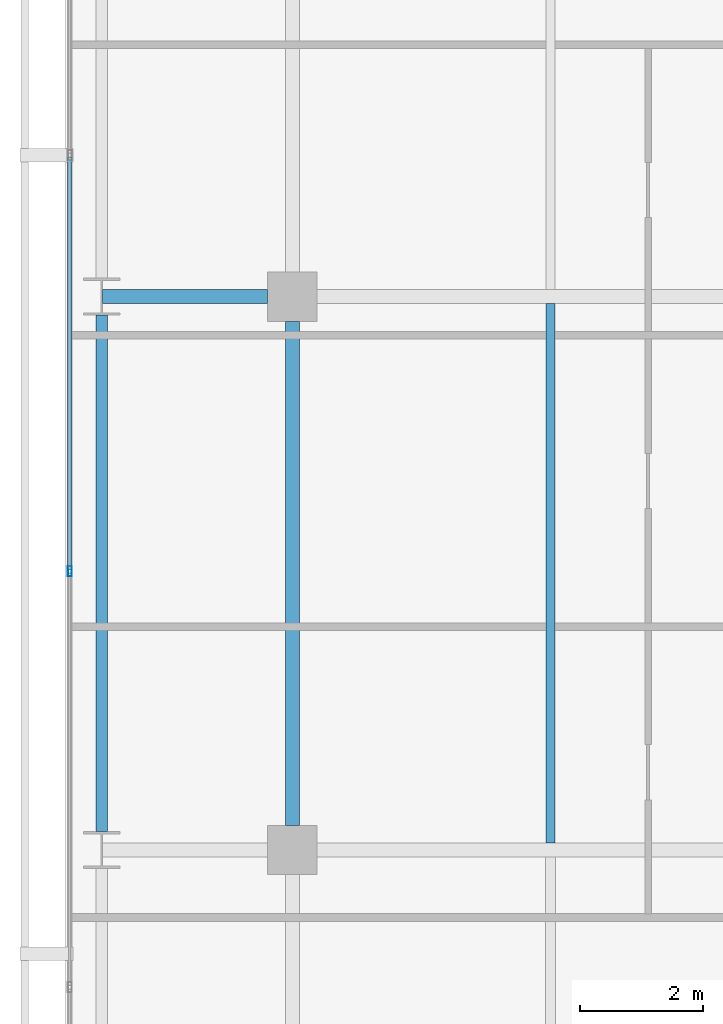
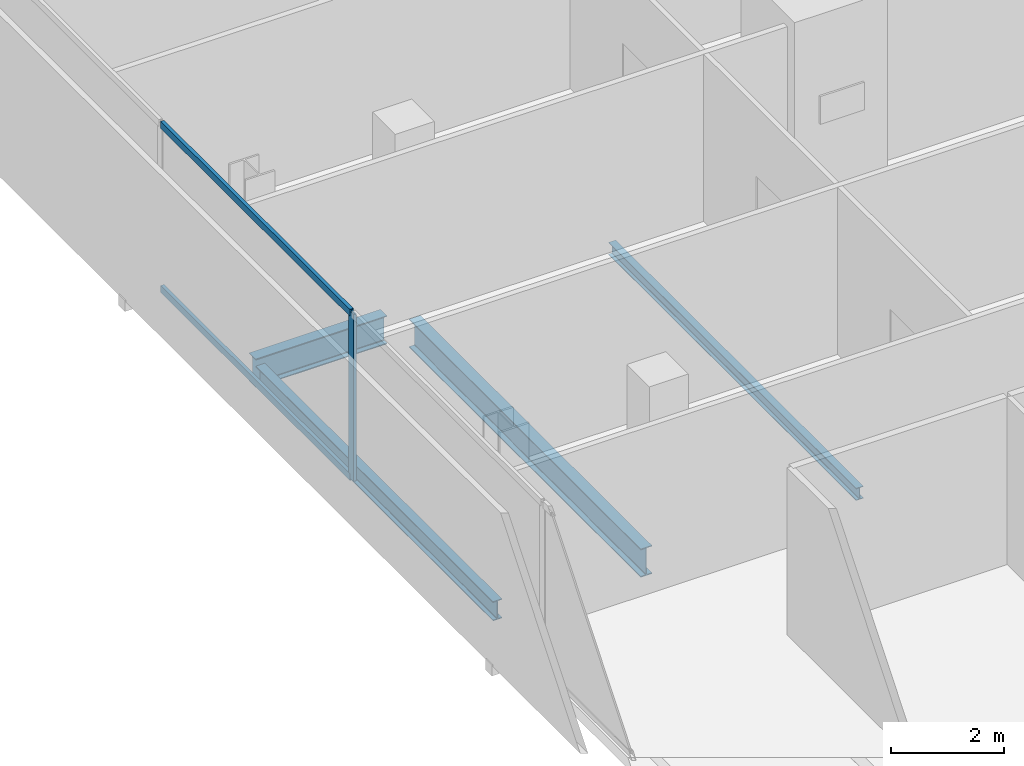
# One storey, part 8 of 33: 4 beams, 3 members, 1 element without a shape of its own.
"""IFC4 building model written with IfcOpenShell, lengths in metres."""

from ifc_helpers import new_model, si_unit, direction, frame, origin, origin_2d, place, context, subcontext, project, spatial, hollow_rectangle, i_section, extrude, material, layer, layer_set, material_profile, profile_set, type_object, element, aggregate, save


model = new_model("IFC4")

# Units and contexts
model_context = context("Model", 3, precision=1e-05, world=origin(), true_north=direction((0.0, 1.0)))
body_context = subcontext(model_context, "Body", "Model", "MODEL_VIEW")
ifc_project = project(units=[si_unit("LENGTHUNIT", "METRE"), si_unit("AREAUNIT", "SQUARE_METRE"), si_unit("VOLUMEUNIT", "CUBIC_METRE"), si_unit("PLANEANGLEUNIT", "RADIAN"), si_unit("MASSUNIT", "GRAM", prefix="KILO")], contexts=[model_context])

# Site, building, storey
site_placement = place(None, origin())
site = spatial("IfcSite", under=ifc_project, at=site_placement, CompositionType="ELEMENT")
building_placement = place(site_placement, origin())
building = spatial("IfcBuilding", under=site, at=building_placement, Name="Maruvema Waterfront Hotel and Observation Tower", CompositionType="ELEMENT")
storey_placement = place(building_placement, frame((0.0, 0.0, 142.800048828125)))
storey = spatial("IfcBuildingStorey", under=building, at=storey_placement, Name="L34", CompositionType="ELEMENT", Elevation=142.800048828125)

# Curtain wall, members
ifc_material_1 = material(Name="Anodised bronze aluminium and solar-control low-E IGU", Category="aluminium")
ifc_layer = layer(ifc_material_1, 0.159912109375, Name="Zone 2 Amber Inner Thermal Curtain Wall System CW-03")
ifc_layer_set = layer_set([ifc_layer], Name="Anodised bronze aluminium and solar-control low-E IGU")
curtain_wall_type = type_object("IfcCurtainWallType", Name="Zone 2 Amber Inner Thermal Curtain Wall System CW-03", PredefinedType="USERDEFINED", material=ifc_layer_set)
curtain_wall_placement = place(storey_placement, origin())
curtain_wall = element("IfcCurtainWall", 1, at=curtain_wall_placement, inside=storey, type_object=curtain_wall_type, Name="L34 Curtain Wall CW-L34-W", ObjectType="UNITISED CURTAIN WALL", PredefinedType="USERDEFINED")
ifc_material_2 = material(Name="Anodised architectural bronze aluminium", Category="aluminium")
ifc_material_profile_1 = material_profile(ifc_material_2, hollow_rectangle(XDim=0.070068359375, YDim=0.14990234375, WallThickness=0.00390625, at=origin_2d()), Name="ALU-T70x150")
ifc_profile_set_1 = profile_set([ifc_material_profile_1], Name="Anodised architectural bronze aluminium")
member_type_1 = type_object("IfcMemberType", Name="Curtain Wall Horizontal Transom ALU-T70x150", PredefinedType="USERDEFINED", material=ifc_profile_set_1)
member_1_placement = place(storey_placement, frame((13.179931640625, 29.27001953125, 0.030029296875), z_axis=(0.0, -1.0, 0.0), x_axis=(1.0, 0.0, 0.0)))
member_1 = element("IfcMember", 2, at=member_1_placement, type_object=member_type_1, Name="CW-03 transom 4.1", ObjectType="TRANSOM", PredefinedType="USERDEFINED", context=body_context, shape_type="SweptSolid", body=[
    extrude(hollow_rectangle(XDim=0.070068359375, YDim=0.14990234375, WallThickness=0.00390625, at=origin_2d()), origin(), (0.0, 0.0, 1.0), 6.706787109375),
])
member_2_placement = place(storey_placement, frame((13.179931640625, 29.27001953125, 3.579833984375), z_axis=(0.0, -1.0, 0.0), x_axis=(1.0, 0.0, 0.0)))
member_2 = element("IfcMember", 3, at=member_2_placement, type_object=member_type_1, Name="CW-03 transom 4.2", ObjectType="TRANSOM", PredefinedType="USERDEFINED", context=body_context, shape_type="SweptSolid", body=[
    extrude(hollow_rectangle(XDim=0.070068359375, YDim=0.14990234375, WallThickness=0.00390625, at=origin_2d()), origin(), (0.0, 0.0, 1.0), 6.706787109375),
])
ifc_material_3 = material(Name="Anodised architectural bronze aluminium", Category="aluminium")
ifc_material_profile_2 = material_profile(ifc_material_3, hollow_rectangle(XDim=0.06494140625, YDim=0.1650390625, WallThickness=0.00390625, at=origin_2d()), Name="ALU-M65x165")
ifc_profile_set_2 = profile_set([ifc_material_profile_2], Name="Anodised architectural bronze aluminium")
member_type_2 = type_object("IfcMemberType", Name="Curtain Wall Primary Mullion ALU-M65x165", PredefinedType="MULLION", material=ifc_profile_set_2)
member_3_placement = place(storey_placement, frame((13.179931640625, 22.533447265625, 0.0), z_axis=(0.0, 0.0, 1.0), x_axis=(1.0, 0.0, 0.0)))
member_3 = element("IfcMember", 4, at=member_3_placement, type_object=member_type_2, Name="CW-03 mullion 5", PredefinedType="MULLION", context=body_context, shape_type="SweptSolid", body=[
    extrude(hollow_rectangle(XDim=0.06494140625, YDim=0.1650390625, WallThickness=0.00390625, at=origin_2d()), origin(), (0.0, 0.0, 1.0), 3.60986328125),
])
aggregate(curtain_wall, [member_3, member_1, member_2])

# Beams
ifc_material_4 = material(Name="Steel ASTM A572 Grade 50", Category="steel")
ifc_material_profile_3 = material_profile(ifc_material_4, i_section(OverallWidth=0.180908203125, OverallDepth=0.4169921875, WebThickness=0.010986328125, FlangeThickness=0.018310546875, FilletRadius=0.014892578125, at=origin_2d()), Name="W410x85.0")
ifc_profile_set_3 = profile_set([ifc_material_profile_3], Name="Steel ASTM A572 Grade 50")
beam_type_1 = type_object("IfcBeamType", Name="Perimeter Spandrel Beam W410x85.0", PredefinedType="SPANDREL", material=ifc_profile_set_3)
beam_1_placement = place(storey_placement, frame((13.699951171875, 18.300048828125, -0.448486328125), z_axis=(0.0, 1.0, 0.0), x_axis=(-1.0, 0.0, 0.0)))
element("IfcBeam", 5, at=beam_1_placement, inside=storey, type_object=beam_type_1, Name="L34 Floor Girder NS-02", PredefinedType="SPANDREL", context=body_context, shape_type="SweptSolid", body=[
    extrude(i_section(OverallWidth=0.180908203125, OverallDepth=0.4169921875, WebThickness=0.010986328125, FlangeThickness=0.018310546875, FilletRadius=0.014892578125, at=origin_2d()), origin(), (0.0, 0.0, 1.0), 8.39990234375),
])
ifc_material_5 = material(Name="Steel ASTM A572 Grade 50", Category="steel")
ifc_material_profile_4 = material_profile(ifc_material_5, i_section(OverallWidth=0.22900390625, OverallDepth=0.612060546875, WebThickness=0.011962890625, FlangeThickness=0.01953125, FilletRadius=0.01806640625, at=origin_2d()), Name="W610x125.0")
ifc_profile_set_4 = profile_set([ifc_material_profile_4], Name="Steel ASTM A572 Grade 50")
beam_type_2 = type_object("IfcBeamType", Name="Primary Floor Girder W610x125.0", PredefinedType="BEAM", material=ifc_profile_set_4)
beam_2_placement = place(storey_placement, frame((13.71240234375, 27.0, -0.546142578125), z_axis=(1.0, 0.0, 0.0), x_axis=(0.0, 1.0, 0.0)))
element("IfcBeam", 6, at=beam_2_placement, inside=storey, type_object=beam_type_2, Name="L34 Floor Girder EW-18", PredefinedType="BEAM", context=body_context, shape_type="SweptSolid", body=[
    extrude(i_section(OverallWidth=0.22900390625, OverallDepth=0.612060546875, WebThickness=0.011962890625, FlangeThickness=0.01953125, FilletRadius=0.01806640625, at=origin_2d()), origin(), (0.0, 0.0, 1.0), 2.6875),
])
beam_3_placement = place(storey_placement, frame((16.800048828125, 18.39990234375, -0.546142578125), z_axis=(0.0, 1.0, 0.0), x_axis=(-1.0, 0.0, 0.0)))
element("IfcBeam", 7, at=beam_3_placement, inside=storey, type_object=beam_type_2, Name="L34 Floor Girder NS-06", PredefinedType="BEAM", context=body_context, shape_type="SweptSolid", body=[
    extrude(i_section(OverallWidth=0.22900390625, OverallDepth=0.612060546875, WebThickness=0.011962890625, FlangeThickness=0.01953125, FilletRadius=0.01806640625, at=origin_2d()), origin(), (0.0, 0.0, 1.0), 8.2001953125),
])
ifc_material_6 = material(Name="Steel ASTM A572 Grade 50", Category="steel")
ifc_material_profile_5 = material_profile(ifc_material_6, i_section(OverallWidth=0.14794921875, OverallDepth=0.26611328125, WebThickness=0.007568359375, FlangeThickness=0.012939453125, FilletRadius=0.012939453125, at=origin_2d()), Name="W250x44.8")
ifc_profile_set_5 = profile_set([ifc_material_profile_5], Name="Steel ASTM A572 Grade 50")
beam_type_3 = type_object("IfcBeamType", Name="Secondary Floor Joist W250x44.8", PredefinedType="JOIST", material=ifc_profile_set_5)
beam_4_placement = place(storey_placement, frame((21.0, 18.114501953125, -0.373046875), z_axis=(0.0, 1.0, 0.0), x_axis=(-1.0, 0.0, 0.0)))
element("IfcBeam", 8, at=beam_4_placement, inside=storey, type_object=beam_type_3, Name="L34 Secondary Floor Joist JS-02", PredefinedType="JOIST", context=body_context, shape_type="SweptSolid", body=[
    extrude(i_section(OverallWidth=0.14794921875, OverallDepth=0.26611328125, WebThickness=0.007568359375, FlangeThickness=0.012939453125, FilletRadius=0.012939453125, at=origin_2d()), origin(), (0.0, 0.0, 1.0), 8.77099609375),
])

save(model, "model.ifc")
